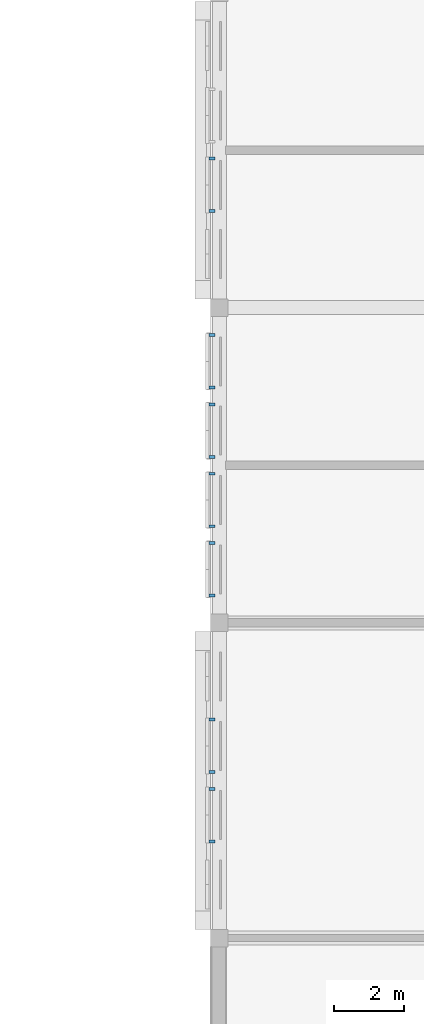
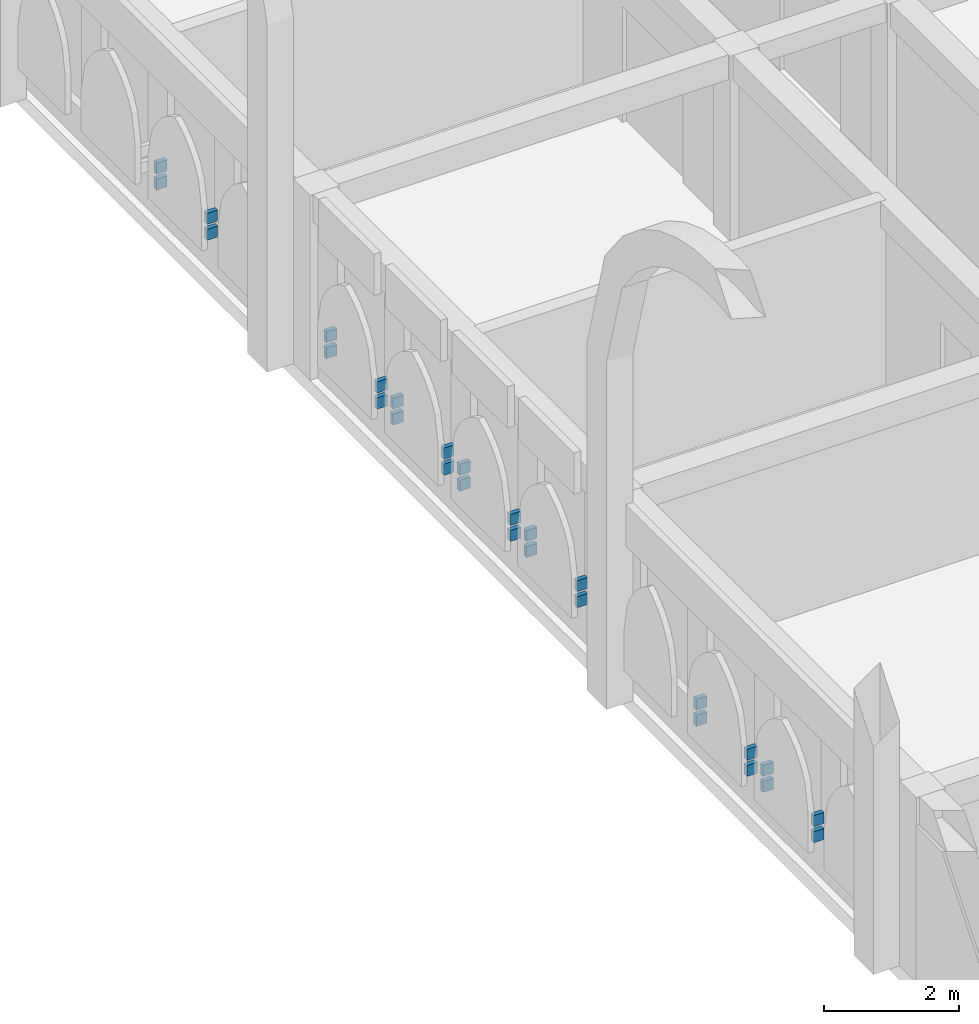
# One storey, part 46 of 65: 28 discrete accessories.
"""IFC4 building model written with IfcOpenShell, lengths in metres."""

from ifc_helpers import new_model, si_unit, direction, frame, origin, origin_2d, place, context, subcontext, project, spatial, rectangle, extrude, material, type_object, element, save


model = new_model("IFC4")

# Units and contexts
model_context = context("Model", 3, precision=1e-05, world=origin(), true_north=direction((0.0, 1.0)))
body_context = subcontext(model_context, "Body", "Model", "MODEL_VIEW")
ifc_project = project(units=[si_unit("LENGTHUNIT", "METRE"), si_unit("AREAUNIT", "SQUARE_METRE"), si_unit("VOLUMEUNIT", "CUBIC_METRE"), si_unit("PLANEANGLEUNIT", "RADIAN"), si_unit("MASSUNIT", "GRAM", prefix="KILO")], contexts=[model_context])

# Site, building, storey
site_placement = place(None, origin())
site = spatial("IfcSite", under=ifc_project, at=site_placement, CompositionType="ELEMENT")
building_placement = place(site_placement, origin())
building = spatial("IfcBuilding", under=site, at=building_placement, Name="Elbe Cascade School", CompositionType="ELEMENT")
storey_placement = place(building_placement, frame((0.0, 0.0, 11.699951171875)))
storey = spatial("IfcBuildingStorey", under=building, at=storey_placement, Name="L03", CompositionType="ELEMENT", Elevation=11.699951171875)

# Discrete accessories
ifc_material = material(Name="Steel S355J2, hot-dip galvanised", Category="steel")
discrete_accessory_type = type_object("IfcDiscreteAccessoryType", Name="Bars envelope Bracket, galvanised steel", PredefinedType="BRACKET", material=ifc_material)
for number, where, z_axis, x_axis, name in (
    (1, (68.7900390625, 17.760009765625, 0.75), (0.0, 0.0, 1.0), (0.0, 1.0, 0.0), "Bracket AC7 jali.w.2.br2ll"),
    (2, (68.7900390625, 17.760009765625, 1.0400390625), (0.0, 0.0, 1.0), (0.0, 1.0, 0.0), "Bracket AC7 jali.w.2.br2lu"),
    (3, (68.7900390625, 19.260009765625, 0.75), (0.0, 0.0, 1.0), (0.0, 1.0, 0.0), "Bracket AC7 jali.w.2.br2rl"),
    (4, (68.7900390625, 19.260009765625, 1.0400390625), (0.0, 0.0, 1.0), (0.0, 1.0, 0.0), "Bracket AC7 jali.w.2.br2ru"),
    (5, (68.7900390625, 19.739990234375, 0.75), (0.0, 0.0, 1.0), (0.0, 1.0, 0.0), "Bracket AC7 jali.w.2.br3ll"),
    (6, (68.7900390625, 19.739990234375, 1.0400390625), (0.0, 0.0, 1.0), (0.0, 1.0, 0.0), "Bracket AC7 jali.w.2.br3lu"),
    (7, (68.7900390625, 21.239990234375, 0.75), (0.0, 0.0, 1.0), (0.0, 1.0, 0.0), "Bracket AC7 jali.w.2.br3rl"),
    (8, (68.7900390625, 21.239990234375, 1.0400390625), (0.0, 0.0, 1.0), (0.0, 1.0, 0.0), "Bracket AC7 jali.w.2.br3ru"),
    (9, (68.7900390625, 24.780029296875, 0.75), (0.0, 0.0, 1.0), (0.0, 1.0, 0.0), "Bracket AC7 jali.w.3.br1ll"),
    (10, (68.7900390625, 24.780029296875, 1.0400390625), (0.0, 0.0, 1.0), (0.0, 1.0, 0.0), "Bracket AC7 jali.w.3.br1lu"),
    (11, (68.7900390625, 26.280029296875, 0.75), (0.0, 0.0, 1.0), (0.0, 1.0, 0.0), "Bracket AC7 jali.w.3.br1rl"),
    (12, (68.7900390625, 26.280029296875, 1.0400390625), (0.0, 0.0, 1.0), (0.0, 1.0, 0.0), "Bracket AC7 jali.w.3.br1ru"),
    (13, (68.7900390625, 26.760009765625, 0.75), (0.0, 0.0, 1.0), (0.0, 1.0, 0.0), "Bracket AC7 jali.w.3.br2ll"),
    (14, (68.7900390625, 26.760009765625, 1.0400390625), (0.0, 0.0, 1.0), (0.0, 1.0, 0.0), "Bracket AC7 jali.w.3.br2lu"),
    (15, (68.7900390625, 28.260009765625, 0.75), (0.0, 0.0, 1.0), (0.0, 1.0, 0.0), "Bracket AC7 jali.w.3.br2rl"),
    (16, (68.7900390625, 28.260009765625, 1.0400390625), (0.0, 0.0, 1.0), (0.0, 1.0, 0.0), "Bracket AC7 jali.w.3.br2ru"),
    (17, (68.7900390625, 28.739990234375, 0.75), (0.0, 0.0, 1.0), (0.0, 1.0, 0.0), "Bracket AC7 jali.w.3.br3ll"),
    (18, (68.7900390625, 28.739990234375, 1.0400390625), (0.0, 0.0, 1.0), (0.0, 1.0, 0.0), "Bracket AC7 jali.w.3.br3lu"),
    (19, (68.7900390625, 30.239990234375, 0.75), (0.0, 0.0, 1.0), (0.0, 1.0, 0.0), "Bracket AC7 jali.w.3.br3rl"),
    (20, (68.7900390625, 30.239990234375, 1.0400390625), (0.0, 0.0, 1.0), (0.0, 1.0, 0.0), "Bracket AC7 jali.w.3.br3ru"),
    (21, (68.7900390625, 30.719970703125, 0.75), (0.0, 0.0, 1.0), (0.0, 1.0, 0.0), "Bracket AC7 jali.w.3.br4ll"),
    (22, (68.7900390625, 30.719970703125, 1.0400390625), (0.0, 0.0, 1.0), (0.0, 1.0, 0.0), "Bracket AC7 jali.w.3.br4lu"),
    (23, (68.7900390625, 32.219970703125, 0.75), (0.0, 0.0, 1.0), (0.0, 1.0, 0.0), "Bracket AC7 jali.w.3.br4rl"),
    (24, (68.7900390625, 32.219970703125, 1.0400390625), (0.0, 0.0, 1.0), (0.0, 1.0, 0.0), "Bracket AC7 jali.w.3.br4ru"),
    (25, (68.7900390625, 35.760009765625, 0.75), (0.0, 0.0, 1.0), (0.0, 1.0, 0.0), "Bracket AC7 jali.w.4.br2ll"),
    (26, (68.7900390625, 35.760009765625, 1.0400390625), (0.0, 0.0, 1.0), (0.0, 1.0, 0.0), "Bracket AC7 jali.w.4.br2lu"),
    (27, (68.7900390625, 37.260009765625, 0.75), (0.0, 0.0, 1.0), (0.0, 1.0, 0.0), "Bracket AC7 jali.w.4.br2rl"),
    (28, (68.7900390625, 37.260009765625, 1.0400390625), (0.0, 0.0, 1.0), (0.0, 1.0, 0.0), "Bracket AC7 jali.w.4.br2ru"),
):
    element("IfcDiscreteAccessory", number, at=place(storey_placement, frame(where, z_axis=z_axis, x_axis=x_axis)), inside=storey, type_object=discrete_accessory_type, Name=name, PredefinedType="BRACKET", context=body_context, shape_type="SweptSolid", body=[
        extrude(rectangle(XDim=0.080078125, YDim=0.179931640625, at=origin_2d()), origin(), (0.0, 0.0, 1.0), 0.199951171875),
    ])

save(model, "model.ifc")
